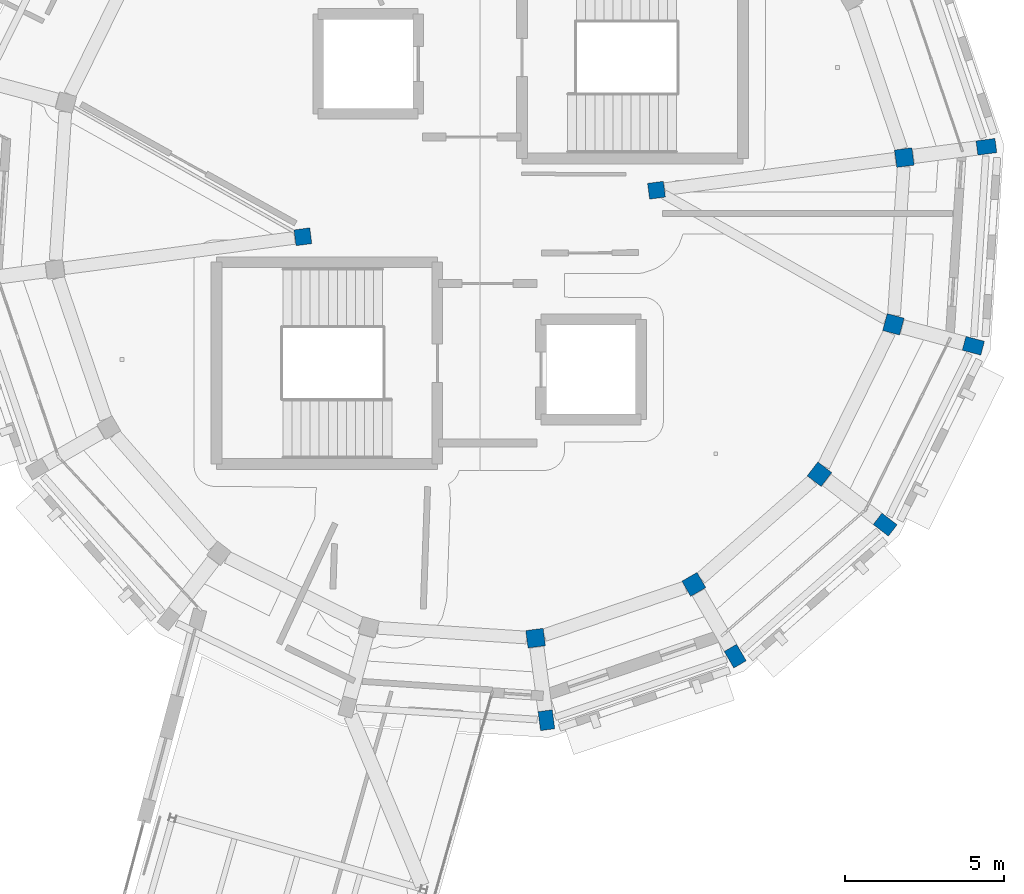
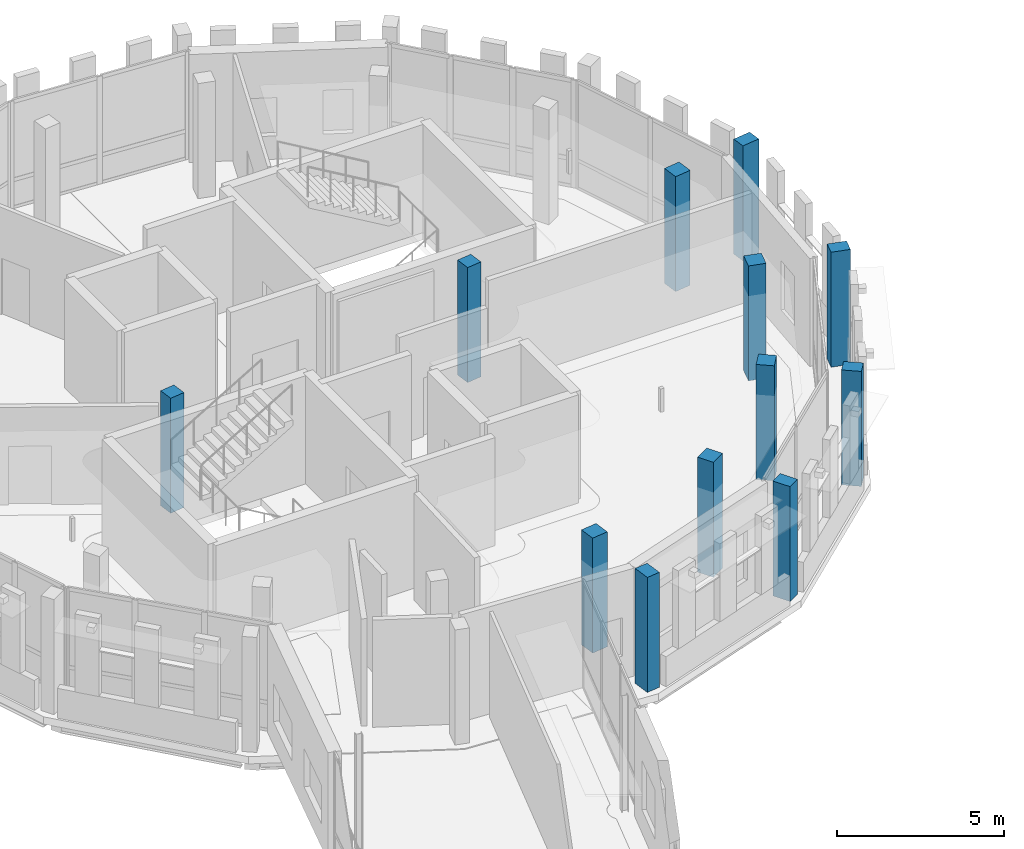
# One storey, part 23 of 125: 12 columns.
"""IFC4 building model written with IfcOpenShell, lengths in metres."""

import ifcopenshell
import ifcopenshell.guid

model = None  # the IFC model being written
_history = None  # IfcOwnerHistory: only IFC2X3 demands one
_inside = {}  # id of a spatial element -> (the spatial element, [elements in it])
_under = {}  # id of a project, library or spatial element -> (it, [spatial elements below it])
_declared = {}  # id of a project -> (the project, [libraries it declares])
_typed = {}  # id of a type object -> (the type object, [elements of that type])
_made_of = {}  # id of a material, layer set ... -> (it, [elements and type objects made of it])


def new_model(schema):
    """Start an empty IFC model of exactly this schema.

    Asked for "IFC4X3", IfcOpenShell would pick the latest addendum, in which some entities
    have other attributes; the version numbers below select the first issue.
    IFC2X3 requires an IfcOwnerHistory on every rooted entity: one is made here for all.
    """
    global model, _history
    if schema == "IFC4X3":
        model = ifcopenshell.file(schema_version=(4, 3, 0, 0))
    else:
        model = ifcopenshell.file(schema=schema)
    _inside.clear()
    _under.clear()
    _declared.clear()
    _typed.clear()
    _made_of.clear()
    _history = None
    if model.schema == "IFC2X3":
        org = make("IfcOrganization", Name="unknown")
        user = make(
            "IfcPersonAndOrganization",
            ThePerson=make("IfcPerson", FamilyName="unknown"),
            TheOrganization=org,
        )
        app = make(
            "IfcApplication",
            ApplicationDeveloper=org,
            Version="unknown",
            ApplicationFullName="unknown",
            ApplicationIdentifier="unknown",
        )
        _history = make(
            "IfcOwnerHistory",
            OwningUser=user,
            OwningApplication=app,
            ChangeAction="ADDED",
            CreationDate=0,
        )
    return model


def make(cls, **values):
    """One entity of the class cls with the attributes given. An attribute that is None is left unset."""
    return model.create_entity(
        cls, **{name: value for name, value in values.items() if value is not None}
    )


def rooted(cls, **values):
    """An entity with a GlobalId (a new one), such as an element, a storey or a relation."""
    return make(cls, GlobalId=ifcopenshell.guid.new(), OwnerHistory=_history, **values)


def si_unit(unit_type, name, prefix=None):
    """IfcSIUnit, for example si_unit("LENGTHUNIT", "METRE", prefix="MILLI")."""
    return make("IfcSIUnit", UnitType=unit_type, Prefix=prefix, Name=name)


def assignment(units):
    """IfcUnitAssignment: the units of a project."""
    return None if units is None else make("IfcUnitAssignment", Units=units)


def point(xyz):
    """IfcCartesianPoint."""
    return None if xyz is None else make("IfcCartesianPoint", Coordinates=xyz)


def direction(xyz):
    """IfcDirection."""
    return None if xyz is None else make("IfcDirection", DirectionRatios=xyz)


def frame(location, z_axis=None, x_axis=None):
    """IfcAxis2Placement3D, a coordinate frame: its origin and axes. An axis left out is left unset."""
    return make(
        "IfcAxis2Placement3D",
        Location=point(location),
        Axis=direction(z_axis),
        RefDirection=direction(x_axis),
    )


def frame_2d(location, x_axis=None):
    """IfcAxis2Placement2D, a coordinate frame in the plane: its origin and x axis."""
    return make(
        "IfcAxis2Placement2D", Location=point(location), RefDirection=direction(x_axis)
    )


def origin():
    """The frame at (0, 0, 0) with its axes left unset."""
    return frame((0.0, 0.0, 0.0))


def origin_2d():
    """The frame at (0, 0) in the plane with its x axis left unset."""
    return frame_2d((0.0, 0.0))


def place(relative_to, where):
    """IfcLocalPlacement: puts the frame where relative to a parent placement (None: the world)."""
    return make(
        "IfcLocalPlacement", PlacementRelTo=relative_to, RelativePlacement=where
    )


def context(
    kind, dimensions, precision=None, world=None, true_north=None, identifier=None
):
    """IfcGeometricRepresentationContext, for example the 3D "Model" context."""
    return make(
        "IfcGeometricRepresentationContext",
        ContextIdentifier=identifier,
        ContextType=kind,
        CoordinateSpaceDimension=dimensions,
        Precision=precision,
        WorldCoordinateSystem=world,
        TrueNorth=true_north,
    )


def subcontext(parent, identifier, kind, view, scale=None):
    """IfcGeometricRepresentationSubContext, for example "Body" below "Model"."""
    return make(
        "IfcGeometricRepresentationSubContext",
        ContextIdentifier=identifier,
        ContextType=kind,
        ParentContext=parent,
        TargetScale=scale,
        TargetView=view,
    )


def project(units=None, contexts=None):
    """IfcProject with its units and contexts."""
    return rooted(
        "IfcProject",
        Name="project",
        RepresentationContexts=contexts,
        UnitsInContext=assignment(units),
    )


def spatial(cls, under=None, at=None, **own):
    """A site, building, storey or space (cls), placed at a placement, below another one or the project."""
    s = rooted(cls, ObjectPlacement=at, **own)
    if under is not None:
        _under.setdefault(under.id(), (under, []))[1].append(s)
    return s


def profile(cls, at=None, kind="AREA", **sizes):
    """A parametric profile (cls). Its sizes go by their IFC names, for example OverallWidth=200.0."""
    return make(cls, ProfileType=kind, Position=at, **sizes)


def rectangle(**sizes):
    """IfcRectangleProfileDef."""
    return profile("IfcRectangleProfileDef", **sizes)


def extrude(swept, where, along, depth):
    """IfcExtrudedAreaSolid: the profile swept, set in the frame where, extruded along a direction by depth."""
    return make(
        "IfcExtrudedAreaSolid",
        SweptArea=swept,
        Position=where,
        ExtrudedDirection=direction(along),
        Depth=depth,
    )


def shape(context_of_items, identifier, shape_type, items):
    """IfcShapeRepresentation: the items that make up one representation, for example the "Body"."""
    return make(
        "IfcShapeRepresentation",
        ContextOfItems=context_of_items,
        RepresentationIdentifier=identifier,
        RepresentationType=shape_type,
        Items=items,
    )


def material(Name=None, Category=None):
    """IfcMaterial."""
    return make("IfcMaterial", Name=Name, Category=Category)


def material_profile(
    of_material, cross_section, Name=None, Category=None, Priority=None
):
    """IfcMaterialProfile: a cross section and its material."""
    return make(
        "IfcMaterialProfile",
        Name=Name,
        Material=of_material,
        Profile=cross_section,
        Priority=Priority,
        Category=Category,
    )


def profile_set(profiles, Name=None, composite=None):
    """IfcMaterialProfileSet."""
    return make(
        "IfcMaterialProfileSet",
        Name=Name,
        MaterialProfiles=profiles,
        CompositeProfile=composite,
    )


def made_of(thing, what):
    """Note that an element or type object is made of a material, layer set ...; save() writes the relation."""
    if what is not None:
        _made_of.setdefault(what.id(), (what, []))[1].append(thing)
    return thing


def type_object(cls, material=None, **own):
    """A type object (cls), such as IfcWallType, which elements share."""
    return made_of(rooted(cls, **own), material)


def element(
    cls,
    number,
    at=None,
    inside=None,
    cuts=None,
    type_object=None,
    material=None,
    context=None,
    identifier="Body",
    shape_type=None,
    held_by="IfcProductDefinitionShape",
    body=None,
    shapes=None,
    **own,
):
    """One element of the class cls, such as IfcWall. Its Tag is "e" and its number.

    at: its placement. inside: the storey or other place that contains it. cuts: it is an
    opening in that element (IfcRelVoidsElement). A single representation is given by context,
    identifier, shape_type and body (its items); several are given by shapes. held_by: the class
    of the entity that holds the representations. save() writes the other relations.
    """
    e = rooted(cls, Tag="e%d" % number, ObjectPlacement=at, **own)
    if body is not None:
        shapes = [shape(context, identifier, shape_type, body)]
    if shapes is not None:
        e.Representation = make(held_by, Representations=shapes)
    if inside is not None:
        _inside.setdefault(inside.id(), (inside, []))[1].append(e)
    if cuts is not None:
        rooted(
            "IfcRelVoidsElement", RelatingBuildingElement=cuts, RelatedOpeningElement=e
        )
    if type_object is not None:
        _typed.setdefault(type_object.id(), (type_object, []))[1].append(e)
    return made_of(e, material)


def aggregate(whole, parts):
    """IfcRelAggregates: a whole, such as a stair, and the parts it consists of."""
    return rooted("IfcRelAggregates", RelatingObject=whole, RelatedObjects=parts)


def save(model, path):
    """Write the relations noted so far, then the file.

    IfcRelAggregates (storeys below a building ...), IfcRelContainedInSpatialStructure (elements
    in a storey), IfcRelDefinesByType, IfcRelAssociatesMaterial and IfcRelDeclares: one each for
    every whole, place, type object, material and project.
    """
    for whole, parts in _under.values():
        aggregate(whole, parts)
    for where, things in _inside.values():
        rooted(
            "IfcRelContainedInSpatialStructure",
            RelatedElements=things,
            RelatingStructure=where,
        )
    for kind, things in _typed.values():
        rooted("IfcRelDefinesByType", RelatedObjects=things, RelatingType=kind)
    for what, things in _made_of.values():
        rooted("IfcRelAssociatesMaterial", RelatedObjects=things, RelatingMaterial=what)
    for by, libraries in _declared.values():
        rooted("IfcRelDeclares", RelatingContext=by, RelatedDefinitions=libraries)
    model.write(path)


model = new_model("IFC4")

# Units and contexts
model_context = context("Model", 3, precision=1e-05, world=origin(), true_north=direction((0.0, 1.0)))
body_context = subcontext(model_context, "Body", "Model", "MODEL_VIEW")
ifc_project = project(units=[si_unit("LENGTHUNIT", "METRE"), si_unit("AREAUNIT", "SQUARE_METRE"), si_unit("VOLUMEUNIT", "CUBIC_METRE"), si_unit("PLANEANGLEUNIT", "RADIAN"), si_unit("MASSUNIT", "GRAM", prefix="KILO")], contexts=[model_context])

# Site, building, storey
site_placement = place(None, origin())
site = spatial("IfcSite", under=ifc_project, at=site_placement, CompositionType="ELEMENT")
building_placement = place(site_placement, origin())
building = spatial("IfcBuilding", under=site, at=building_placement, Name="Wrenclough Park School", CompositionType="ELEMENT")
storey_placement = place(building_placement, frame((0.0, 0.0, 4.199951171875)))
storey = spatial("IfcBuildingStorey", under=building, at=storey_placement, Name="L01", CompositionType="ELEMENT", Elevation=4.199951171875)

# Columns
ifc_material = material(Name="Concrete C40/50", Category="concrete")
ifc_material_profile_1 = material_profile(ifc_material, rectangle(XDim=0.5, YDim=0.5, at=origin_2d()), Name="RC COL 500x500")
ifc_profile_set_1 = profile_set([ifc_material_profile_1], Name="Concrete C40/50")
column_type_1 = type_object("IfcColumnType", Name="STR-COL-RC500", PredefinedType="COLUMN", material=ifc_profile_set_1)
for number, where, z_axis, x_axis, name in (
    (1, (180.052001953125, 94.23095703125, 0.0), (0.0, 0.0, 1.0), (0.991444861374, 0.13052619222, 0.0), "D5 L01 column D5-INN-01"),
    (2, (168.947998046875, 92.76904296875, 0.0), (0.0, 0.0, 1.0), (-0.991444861374, -0.13052619222, 0.0), "D5 L01 column D5-INN-05"),
):
    element("IfcColumn", number, at=place(storey_placement, frame(where, z_axis=z_axis, x_axis=x_axis)), inside=storey, type_object=column_type_1, Name=name, PredefinedType="COLUMN", context=body_context, shape_type="SweptSolid", body=[
        extrude(rectangle(XDim=0.5, YDim=0.5, at=origin_2d()), origin(), (0.0, 0.0, 1.0), 4.199951171875),
    ])
ifc_material_profile_2 = material_profile(ifc_material, rectangle(XDim=0.550048828125, YDim=0.550048828125, at=origin_2d()), Name="RC COL 550x550")
ifc_profile_set_2 = profile_set([ifc_material_profile_2], Name="Concrete C40/50")
column_type_2 = type_object("IfcColumnType", Name="STR-COL-RC550", PredefinedType="COLUMN", material=ifc_profile_set_2)
for number, where, z_axis, x_axis, name in (
    (3, (187.8349609375, 95.255615234375, 0.0), (0.0, 0.0, 1.0), (-0.13052619222, 0.991444861374, 0.0), "D5 L01 column D5-MID-01"),
    (4, (176.255615234375, 80.1650390625, 0.0), (0.0, 0.0, 1.0), (0.991444861374, 0.13052619222, 0.0), "D5 L01 column D5-MID-13"),
    (5, (181.22509765625, 81.85205078125, 0.0), (0.0, 0.0, 1.0), (0.866025403784, 0.5, 0.0), "D5 L01 column D5-MID-14"),
    (6, (185.170654296875, 85.312255859375, 0.0), (0.0, 0.0, 1.0), (0.608761429009, 0.793353340291, 0.0), "D5 L01 column D5-MID-15"),
    (7, (187.49169921875, 90.018798828125, 0.0), (0.0, 0.0, 1.0), (0.258819045103, 0.965925826289, 0.0), "D5 L01 column D5-MID-16"),
):
    element("IfcColumn", number, at=place(storey_placement, frame(where, z_axis=z_axis, x_axis=x_axis)), inside=storey, type_object=column_type_2, Name=name, PredefinedType="COLUMN", context=body_context, shape_type="SweptSolid", body=[
        extrude(rectangle(XDim=0.550048828125, YDim=0.550048828125, at=origin_2d()), origin(), (0.0, 0.0, 1.0), 4.199951171875),
    ])
ifc_material_profile_3 = material_profile(ifc_material, rectangle(XDim=0.449951171875, YDim=0.60009765625, at=origin_2d()), Name="RC COL 600x450")
ifc_profile_set_3 = profile_set([ifc_material_profile_3], Name="Concrete C40/50")
column_type_3 = type_object("IfcColumnType", Name="STR-COL-RC600x450", PredefinedType="PILASTER", material=ifc_profile_set_3)
for number, where, z_axis, x_axis, name in (
    (8, (190.41259765625, 95.594970703125, 0.0), (0.0, 0.0, 1.0), (-0.13052619222, 0.991444861374, 0.0), "D5 L01 column D5-OUT-01"),
    (9, (176.594970703125, 77.58740234375, 0.0), (0.0, 0.0, 1.0), (0.991444861374, 0.13052619222, 0.0), "D5 L01 column D5-OUT-13"),
    (10, (182.52490234375, 79.600341796875, 0.0), (0.0, 0.0, 1.0), (0.866025403784, 0.5, 0.0), "D5 L01 column D5-OUT-14"),
    (11, (187.2333984375, 83.7294921875, 0.0), (0.0, 0.0, 1.0), (0.608761429009, 0.793353340291, 0.0), "D5 L01 column D5-OUT-15"),
    (12, (190.003173828125, 89.345947265625, 0.0), (0.0, 0.0, 1.0), (0.258819045103, 0.965925826289, 0.0), "D5 L01 column D5-OUT-16"),
):
    element("IfcColumn", number, at=place(storey_placement, frame(where, z_axis=z_axis, x_axis=x_axis)), inside=storey, type_object=column_type_3, Name=name, PredefinedType="PILASTER", context=body_context, shape_type="SweptSolid", body=[
        extrude(rectangle(XDim=0.449951171875, YDim=0.60009765625, at=origin_2d()), origin(), (0.0, 0.0, 1.0), 4.199951171875),
    ])

save(model, "model.ifc")
